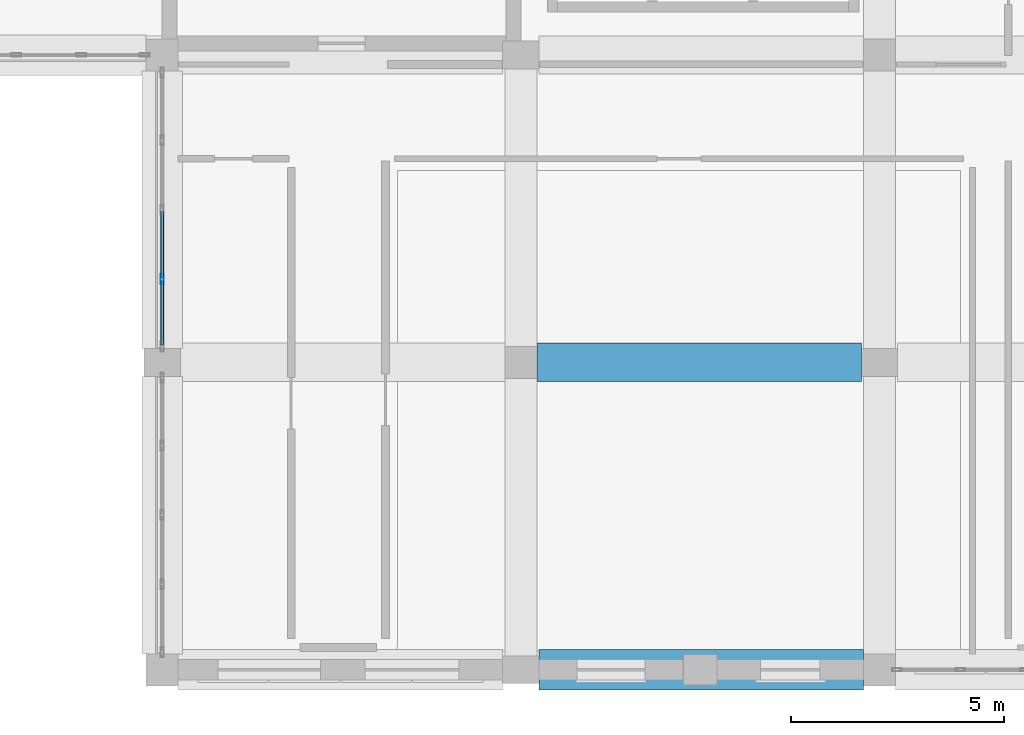
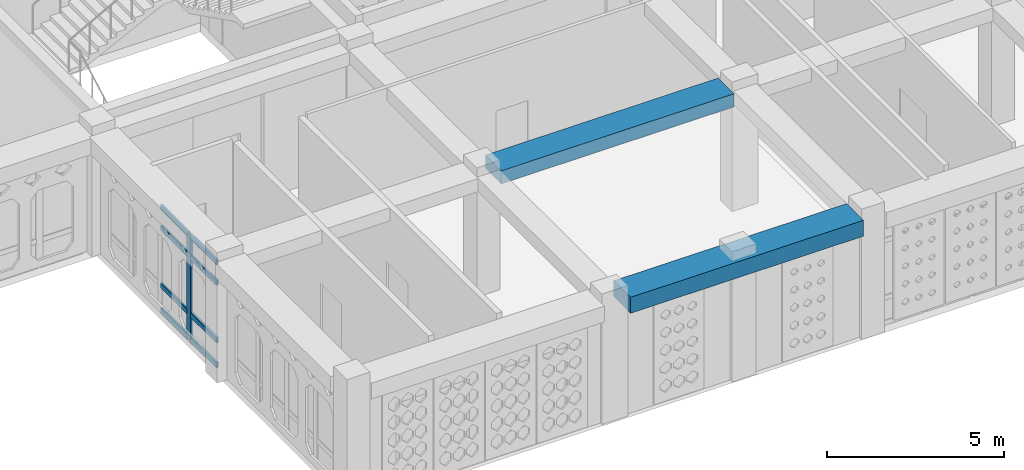
# One storey, part 4 of 100: 9 members, 2 beams, 1 element without a shape of its own.
"""IFC4 building model written with IfcOpenShell, lengths in metres."""

from ifc_helpers import new_model, si_unit, derived_unit, direction, frame, origin, origin_2d, place, context, subcontext, project, spatial, rectangle, hollow_rectangle, extrude, material, material_profile, profile_set, type_object, element, aggregate, save


model = new_model("IFC4")

# Units and contexts
model_context = context("Model", 3, precision=1e-05, world=origin(), true_north=direction((0.0, 1.0)))
body_context = subcontext(model_context, "Body", "Model", "MODEL_VIEW")
ifc_project = project(units=[si_unit("LENGTHUNIT", "METRE"), si_unit("AREAUNIT", "SQUARE_METRE"), si_unit("VOLUMEUNIT", "CUBIC_METRE"), si_unit("PLANEANGLEUNIT", "RADIAN"), si_unit("MASSUNIT", "GRAM", prefix="KILO"), derived_unit("THERMALTRANSMITTANCEUNIT", [(si_unit("POWERUNIT", "WATT"), 1), (si_unit("LENGTHUNIT", "METRE"), -2), (si_unit("THERMODYNAMICTEMPERATUREUNIT", "KELVIN"), -1)])], contexts=[model_context])

# Site, building, storey
site_placement = place(None, origin())
site = spatial("IfcSite", under=ifc_project, at=site_placement, CompositionType="ELEMENT")
building_placement = place(site_placement, origin())
building = spatial("IfcBuilding", under=site, at=building_placement, Name="Veybourne Emporium", CompositionType="ELEMENT")
storey_placement = place(building_placement, frame((0.0, 0.0, 14.39990234375)))
storey = spatial("IfcBuildingStorey", under=building, at=storey_placement, Name="L03", CompositionType="ELEMENT", Elevation=14.39990234375)

# Curtain wall, members
ifc_material_1 = material(Name="Patinated Architectural Bronze", Category="bronze")
curtain_wall_type = type_object("IfcCurtainWallType", Name="CWSystem_CWS-11", PredefinedType="NOTDEFINED", material=ifc_material_1)
curtain_wall_placement = place(storey_placement, origin())
curtain_wall = element("IfcCurtainWall", 1, at=curtain_wall_placement, inside=storey, type_object=curtain_wall_type, Name="L03 bronze glazed curtain wall CWS-11 (016)", PredefinedType="NOTDEFINED")
ifc_material_profile_1 = material_profile(ifc_material_1, hollow_rectangle(XDim=0.077880859375, YDim=0.235107421875, WallThickness=0.0048828125, InnerFilletRadius=0.007568359375, OuterFilletRadius=0.012451171875, at=origin_2d()), Name="CWM 78x235x5")
ifc_profile_set_1 = profile_set([ifc_material_profile_1], Name="Patinated Architectural Bronze")
member_type_1 = type_object("IfcMemberType", Name="CWMullion_CW-M3", PredefinedType="MULLION", material=ifc_profile_set_1)
member_1_placement = place(storey_placement, frame((16.800048828125, 9.14990234375, 0.0), z_axis=(0.0, 0.0, 1.0), x_axis=(-1.0, 0.0, 0.0)))
member_1 = element("IfcMember", 2, at=member_1_placement, type_object=member_type_1, Name="CWS-11 mullion 2", PredefinedType="MULLION", context=body_context, shape_type="SweptSolid", body=[
    extrude(hollow_rectangle(XDim=0.077880859375, YDim=0.235107421875, WallThickness=0.0048828125, InnerFilletRadius=0.007568359375, OuterFilletRadius=0.012451171875, at=origin_2d()), origin(), (0.0, 0.0, 1.0), 3.630126953125),
])
ifc_material_profile_2 = material_profile(ifc_material_1, hollow_rectangle(XDim=0.077880859375, YDim=0.18505859375, WallThickness=0.0048828125, InnerFilletRadius=0.007568359375, OuterFilletRadius=0.012451171875, at=origin_2d()), Name="CWT 78x185x5")
ifc_profile_set_2 = profile_set([ifc_material_profile_2], Name="Patinated Architectural Bronze")
member_type_2 = type_object("IfcMemberType", Name="CWTransom_CW-T3", PredefinedType="NOTDEFINED", material=ifc_profile_set_2)
member_2_placement = place(storey_placement, frame((16.800048828125, 7.60302734375, 0.0390625), z_axis=(0.0, 1.0, 0.0), x_axis=(-1.0, 0.0, 0.0)))
member_2 = element("IfcMember", 3, at=member_2_placement, type_object=member_type_2, Name="CWS-11 transom 1.1", ObjectType="TRANSOM", PredefinedType="USERDEFINED", context=body_context, shape_type="SweptSolid", body=[
    extrude(hollow_rectangle(XDim=0.077880859375, YDim=0.18505859375, WallThickness=0.0048828125, InnerFilletRadius=0.007568359375, OuterFilletRadius=0.012451171875, at=origin_2d()), origin(), (0.0, 0.0, 1.0), 1.508056640625),
])
member_3_placement = place(storey_placement, frame((16.800048828125, 7.60302734375, 0.900146484375), z_axis=(0.0, 1.0, 0.0), x_axis=(-1.0, 0.0, 0.0)))
member_3 = element("IfcMember", 4, at=member_3_placement, type_object=member_type_2, Name="CWS-11 transom 1.2", ObjectType="TRANSOM", PredefinedType="USERDEFINED", context=body_context, shape_type="SweptSolid", body=[
    extrude(hollow_rectangle(XDim=0.077880859375, YDim=0.18505859375, WallThickness=0.0048828125, InnerFilletRadius=0.007568359375, OuterFilletRadius=0.012451171875, at=origin_2d()), origin(), (0.0, 0.0, 1.0), 1.508056640625),
])
member_4_placement = place(storey_placement, frame((16.800048828125, 7.60302734375, 2.880126953125), z_axis=(0.0, 1.0, 0.0), x_axis=(-1.0, 0.0, 0.0)))
member_4 = element("IfcMember", 5, at=member_4_placement, type_object=member_type_2, Name="CWS-11 transom 1.3", ObjectType="TRANSOM", PredefinedType="USERDEFINED", context=body_context, shape_type="SweptSolid", body=[
    extrude(hollow_rectangle(XDim=0.077880859375, YDim=0.18505859375, WallThickness=0.0048828125, InnerFilletRadius=0.007568359375, OuterFilletRadius=0.012451171875, at=origin_2d()), origin(), (0.0, 0.0, 1.0), 1.508056640625),
])
member_5_placement = place(storey_placement, frame((16.800048828125, 7.60302734375, 3.591064453125), z_axis=(0.0, 1.0, 0.0), x_axis=(-1.0, 0.0, 0.0)))
member_5 = element("IfcMember", 6, at=member_5_placement, type_object=member_type_2, Name="CWS-11 transom 1.4", ObjectType="TRANSOM", PredefinedType="USERDEFINED", context=body_context, shape_type="SweptSolid", body=[
    extrude(hollow_rectangle(XDim=0.077880859375, YDim=0.18505859375, WallThickness=0.0048828125, InnerFilletRadius=0.007568359375, OuterFilletRadius=0.012451171875, at=origin_2d()), origin(), (0.0, 0.0, 1.0), 1.508056640625),
])
member_6_placement = place(storey_placement, frame((16.800048828125, 9.18896484375, 0.0390625), z_axis=(0.0, 1.0, 0.0), x_axis=(-1.0, 0.0, 0.0)))
member_6 = element("IfcMember", 7, at=member_6_placement, type_object=member_type_2, Name="CWS-11 transom 2.1", ObjectType="TRANSOM", PredefinedType="USERDEFINED", context=body_context, shape_type="SweptSolid", body=[
    extrude(hollow_rectangle(XDim=0.077880859375, YDim=0.18505859375, WallThickness=0.0048828125, InnerFilletRadius=0.007568359375, OuterFilletRadius=0.012451171875, at=origin_2d()), origin(), (0.0, 0.0, 1.0), 1.547119140625),
])
member_7_placement = place(storey_placement, frame((16.800048828125, 9.18896484375, 0.900146484375), z_axis=(0.0, 1.0, 0.0), x_axis=(-1.0, 0.0, 0.0)))
member_7 = element("IfcMember", 8, at=member_7_placement, type_object=member_type_2, Name="CWS-11 transom 2.2", ObjectType="TRANSOM", PredefinedType="USERDEFINED", context=body_context, shape_type="SweptSolid", body=[
    extrude(hollow_rectangle(XDim=0.077880859375, YDim=0.18505859375, WallThickness=0.0048828125, InnerFilletRadius=0.007568359375, OuterFilletRadius=0.012451171875, at=origin_2d()), origin(), (0.0, 0.0, 1.0), 1.547119140625),
])
member_8_placement = place(storey_placement, frame((16.800048828125, 9.18896484375, 2.880126953125), z_axis=(0.0, 1.0, 0.0), x_axis=(-1.0, 0.0, 0.0)))
member_8 = element("IfcMember", 9, at=member_8_placement, type_object=member_type_2, Name="CWS-11 transom 2.3", ObjectType="TRANSOM", PredefinedType="USERDEFINED", context=body_context, shape_type="SweptSolid", body=[
    extrude(hollow_rectangle(XDim=0.077880859375, YDim=0.18505859375, WallThickness=0.0048828125, InnerFilletRadius=0.007568359375, OuterFilletRadius=0.012451171875, at=origin_2d()), origin(), (0.0, 0.0, 1.0), 1.547119140625),
])
member_9_placement = place(storey_placement, frame((16.800048828125, 9.18896484375, 3.591064453125), z_axis=(0.0, 1.0, 0.0), x_axis=(-1.0, 0.0, 0.0)))
member_9 = element("IfcMember", 10, at=member_9_placement, type_object=member_type_2, Name="CWS-11 transom 2.4", ObjectType="TRANSOM", PredefinedType="USERDEFINED", context=body_context, shape_type="SweptSolid", body=[
    extrude(hollow_rectangle(XDim=0.077880859375, YDim=0.18505859375, WallThickness=0.0048828125, InnerFilletRadius=0.007568359375, OuterFilletRadius=0.012451171875, at=origin_2d()), origin(), (0.0, 0.0, 1.0), 1.547119140625),
])
aggregate(curtain_wall, [member_1, member_2, member_3, member_4, member_5, member_6, member_7, member_8, member_9])

# Beams
ifc_material_2 = material(Name="Concrete C32/40", Category="concrete")
ifc_material_profile_3 = material_profile(ifc_material_2, rectangle(XDim=0.89990234375, YDim=0.449951171875, at=origin_2d()), Name="RC 900x450")
ifc_profile_set_3 = profile_set([ifc_material_profile_3], Name="Concrete C32/40")
beam_type_1 = type_object("IfcBeamType", Name="RCBeam_BB-03", PredefinedType="BEAM", material=ifc_profile_set_3)
beam_1_placement = place(storey_placement, frame((25.574951171875, 7.199951171875, 3.955078125), z_axis=(1.0, 0.0, 0.0), x_axis=(0.0, 1.0, 0.0)))
element("IfcBeam", 11, at=beam_1_placement, inside=storey, type_object=beam_type_1, Name="L03 X-grid beam BB-03 (3,1)", PredefinedType="BEAM", context=body_context, shape_type="SweptSolid", body=[
    extrude(rectangle(XDim=0.89990234375, YDim=0.449951171875, at=origin_2d()), origin(), (0.0, 0.0, 1.0), 7.60009765625),
])
ifc_material_profile_4 = material_profile(ifc_material_2, rectangle(XDim=0.949951171875, YDim=0.550048828125, at=origin_2d()), Name="RC 950x550")
ifc_profile_set_4 = profile_set([ifc_material_profile_4], Name="Concrete C32/40")
beam_type_2 = type_object("IfcBeamType", Name="RCBeam_EB-01", PredefinedType="SPANDREL", material=ifc_profile_set_4)
beam_2_placement = place(storey_placement, frame((25.625, 0.0, 3.905029296875), z_axis=(1.0, 0.0, 0.0), x_axis=(0.0, 1.0, 0.0)))
element("IfcBeam", 12, at=beam_2_placement, inside=storey, type_object=beam_type_2, Name="L03 X-grid beam EB-01 (3,0)", PredefinedType="SPANDREL", context=body_context, shape_type="SweptSolid", body=[
    extrude(rectangle(XDim=0.949951171875, YDim=0.550048828125, at=origin_2d()), origin(), (0.0, 0.0, 1.0), 7.60009765625),
])

save(model, "model.ifc")
